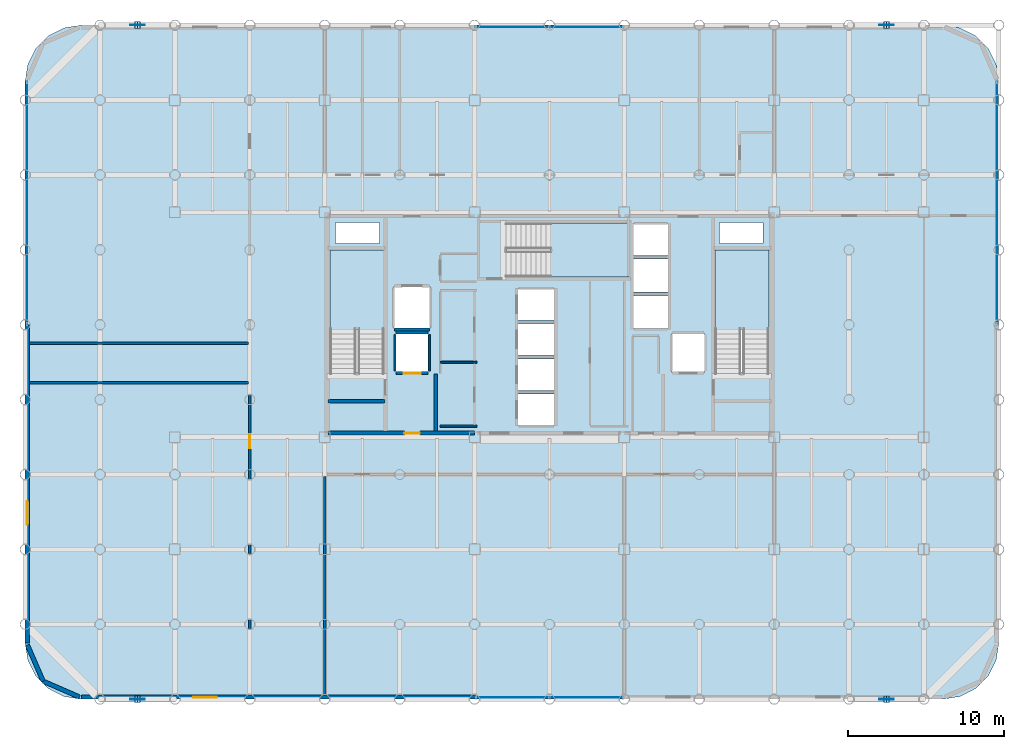
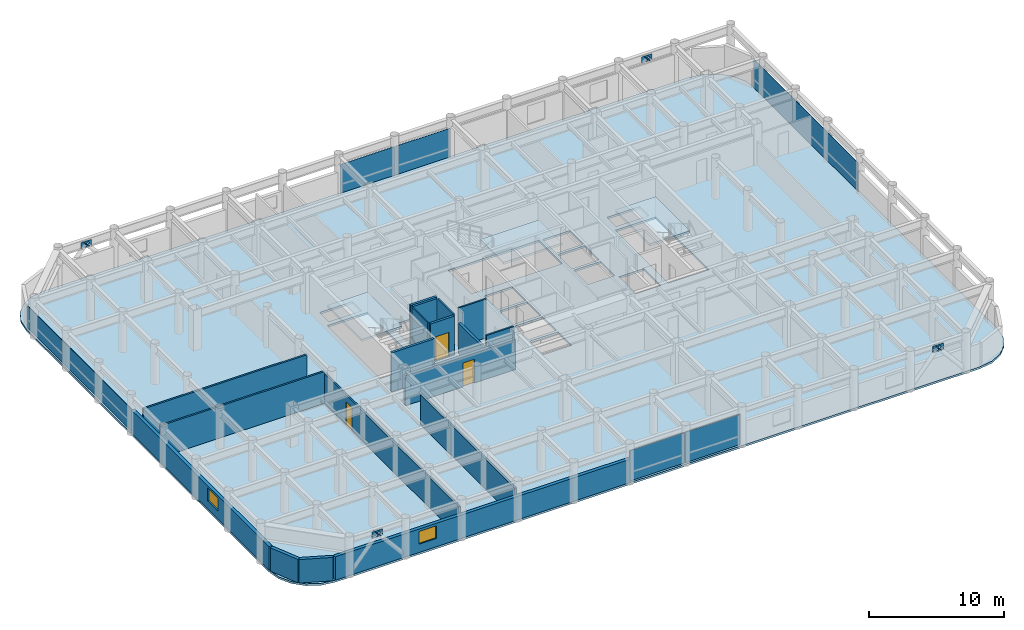
# One storey, part 15 of 19: 18 plates, 18 walls, 4 slabs, 3 doors, 2 windows, 5 openings, 7 elements without a shape of their own.
"""IFC4 building model written with IfcOpenShell, lengths in metres."""

from ifc_helpers import new_model, si_unit, direction, frame, frame_2d, origin, origin_2d, place, context, subcontext, project, spatial, polyline, rectangle, outline, extrude, material, layer, layer_set, type_object, element, fill, aggregate, save


model = new_model("IFC4")

# Units and contexts
model_context = context("Model", 3, precision=1e-05, world=origin(), true_north=direction((0.0, 1.0)))
body_context = subcontext(model_context, "Body", "Model", "MODEL_VIEW")
ifc_project = project(units=[si_unit("LENGTHUNIT", "METRE"), si_unit("AREAUNIT", "SQUARE_METRE"), si_unit("VOLUMEUNIT", "CUBIC_METRE"), si_unit("PLANEANGLEUNIT", "RADIAN"), si_unit("MASSUNIT", "GRAM", prefix="KILO")], contexts=[model_context])

# Site, building, storey
site_placement = place(None, origin())
site = spatial("IfcSite", under=ifc_project, at=site_placement, CompositionType="ELEMENT")
building_placement = place(site_placement, origin())
building = spatial("IfcBuilding", under=site, at=building_placement, Name="Kallvorn Hotel Tower", CompositionType="ELEMENT")
storey_placement = place(building_placement, frame((0.0, 0.0, 165.5)))
storey = spatial("IfcBuildingStorey", under=building, at=storey_placement, Name="L41", CompositionType="ELEMENT", Elevation=165.5)

# Curtain wall, plates
ifc_material_1 = material(Name="Thermally broken black-anodised aluminium AA 6063-T6", Category="aluminium")
ifc_layer_1 = layer(ifc_material_1, 0.2099609375)
ifc_layer_set_1 = layer_set([ifc_layer_1], Name="CW_SYS_4_HOTEL_MID")
curtain_wall_type = type_object("IfcCurtainWallType", Name="CW_SYS_4_HOTEL_MID", PredefinedType="USERDEFINED", material=ifc_layer_set_1)
curtain_wall_1_placement = place(storey_placement, origin())
curtain_wall_1 = element("IfcCurtainWall", 1, at=curtain_wall_1_placement, inside=storey, type_object=curtain_wall_type, Name="L41 Dark-Glass Curtain Wall CW-L41-SC", ObjectType="UNITISED CURTAIN WALL", PredefinedType="USERDEFINED")
ifc_material_2 = material(Name="Double-glazed low-e solar-control dark glass", Category="glass")
ifc_layer_2 = layer(ifc_material_2, 0.037841796875)
ifc_layer_set_2 = layer_set([ifc_layer_2], Name="CW_SYS_4_HOTEL_MID_PANEL")
plate_type_1 = type_object("IfcPlateType", Name="CW_SYS_4_HOTEL_MID_PANEL", PredefinedType="CURTAIN_PANEL", material=ifc_layer_set_2)
plate_1_placement = place(storey_placement, frame((-2.375, -23.8798828125, 0.06005859375), z_axis=(0.0, 0.0, 1.0), x_axis=(1.0, 0.0, 0.0)))
plate_1 = element("IfcPlate", 2, at=plate_1_placement, type_object=plate_type_1, Name="CW-L41-SC Vision Glass Panel 00", PredefinedType="CURTAIN_PANEL", context=body_context, shape_type="SweptSolid", body=[
    extrude(rectangle(XDim=4.68994140625, YDim=0.037841796875, at=origin_2d()), origin(), (0.0, 0.0, 1.0), 2.75),
])
plate_2_placement = place(storey_placement, frame((2.375, -23.8798828125, 0.06005859375), z_axis=(0.0, 0.0, 1.0), x_axis=(1.0, 0.0, 0.0)))
plate_2 = element("IfcPlate", 3, at=plate_2_placement, type_object=plate_type_1, Name="CW-L41-SC Vision Glass Panel 01", PredefinedType="CURTAIN_PANEL", context=body_context, shape_type="SweptSolid", body=[
    extrude(rectangle(XDim=4.68994140625, YDim=0.037841796875, at=origin_2d()), origin(), (0.0, 0.0, 1.0), 2.75),
])
aggregate(curtain_wall_1, [plate_1, plate_2])

curtain_wall_2_placement = place(storey_placement, origin())
curtain_wall_2 = element("IfcCurtainWall", 4, at=curtain_wall_2_placement, inside=storey, type_object=curtain_wall_type, Name="L41 Dark-Glass Curtain Wall CW-L41-NC", ObjectType="UNITISED CURTAIN WALL", PredefinedType="USERDEFINED")
plate_3_placement = place(storey_placement, frame((-2.375, 19.080078125, 0.06005859375), z_axis=(0.0, 0.0, 1.0), x_axis=(1.0, 0.0, 0.0)))
plate_3 = element("IfcPlate", 5, at=plate_3_placement, type_object=plate_type_1, Name="CW-L41-NC Vision Glass Panel 00", PredefinedType="CURTAIN_PANEL", context=body_context, shape_type="SweptSolid", body=[
    extrude(rectangle(XDim=4.68994140625, YDim=0.037841796875, at=origin_2d()), origin(), (0.0, 0.0, 1.0), 2.60009765625),
])
plate_4_placement = place(storey_placement, frame((2.375, 19.080078125, 0.06005859375), z_axis=(0.0, 0.0, 1.0), x_axis=(1.0, 0.0, 0.0)))
plate_4 = element("IfcPlate", 6, at=plate_4_placement, type_object=plate_type_1, Name="CW-L41-NC Vision Glass Panel 01", PredefinedType="CURTAIN_PANEL", context=body_context, shape_type="SweptSolid", body=[
    extrude(rectangle(XDim=4.68994140625, YDim=0.037841796875, at=origin_2d()), origin(), (0.0, 0.0, 1.0), 2.60009765625),
])
aggregate(curtain_wall_2, [plate_3, plate_4])

# Curtain wall, plate
curtain_wall_3_placement = place(storey_placement, origin())
curtain_wall_3 = element("IfcCurtainWall", 7, at=curtain_wall_3_placement, inside=storey, type_object=curtain_wall_type, Name="L41 Dark-Glass Curtain Wall CW-L41-WN", ObjectType="UNITISED CURTAIN WALL", PredefinedType="USERDEFINED")
plate_5_placement = place(storey_placement, frame((-33.47998046875, 7.81005859375, 0.06005859375), z_axis=(0.0, 0.0, 1.0), x_axis=(0.0, 1.0, 0.0)))
plate_5 = element("IfcPlate", 8, at=plate_5_placement, type_object=plate_type_1, Name="CW-L41-WN Vision Glass Panel 00", PredefinedType="CURTAIN_PANEL", context=body_context, shape_type="SweptSolid", body=[
    extrude(rectangle(XDim=15.52001953125, YDim=0.037841796875, at=origin_2d()), origin(), (0.0, 0.0, 1.0), 2.0),
])
aggregate(curtain_wall_3, [plate_5])

curtain_wall_4_placement = place(storey_placement, origin())
curtain_wall_4 = element("IfcCurtainWall", 9, at=curtain_wall_4_placement, inside=storey, type_object=curtain_wall_type, Name="L41 Dark-Glass Curtain Wall CW-L41-EN", ObjectType="UNITISED CURTAIN WALL", PredefinedType="USERDEFINED")
plate_6_placement = place(storey_placement, frame((28.679931640625, 7.81005859375, 0.06005859375), z_axis=(0.0, 0.0, 1.0), x_axis=(0.0, 1.0, 0.0)))
plate_6 = element("IfcPlate", 10, at=plate_6_placement, type_object=plate_type_1, Name="CW-L41-EN Vision Glass Panel 00", PredefinedType="CURTAIN_PANEL", context=body_context, shape_type="SweptSolid", body=[
    extrude(rectangle(XDim=15.52001953125, YDim=0.037841796875, at=origin_2d()), origin(), (0.0, 0.0, 1.0), 2.60009765625),
])
aggregate(curtain_wall_4, [plate_6])

# Plates
ifc_material_3 = material(Name="Structural steel S355JR", Category="steel")
ifc_layer_3 = layer(ifc_material_3, 0.030029296875)
ifc_layer_set_3 = layer_set([ifc_layer_3], Name="PLT_CAP_30")
plate_type_2 = type_object("IfcPlateType", Name="PLT_CAP_30", PredefinedType="SHEET", material=ifc_layer_set_3)
plate_7_placement = place(storey_placement, frame((-26.227294921875, -24.2177734375, 2.876708984375), z_axis=(0.646720691081, 0.0, 0.762726915565), x_axis=(0.0, 1.0, 0.0)))
element("IfcPlate", 11, at=plate_7_placement, inside=storey, type_object=plate_type_2, Name="EXO-L41-S1A End Cap Plate B", PredefinedType="SHEET", context=body_context, shape_type="SweptSolid", body=[
    extrude(outline(polyline([(0.0, 0.0), (0.435546875, 0.0), (0.435546875, 0.4356413597636253), (0.0, 0.4356413597636253), (0.0, 0.0)])), origin(), (0.0, 0.0, -1.0), 0.030029296875),
])
plate_8_placement = place(storey_placement, frame((-26.572509765625, -23.7822265625, 2.876708984375), z_axis=(-0.646997204148, 0.0, 0.762492372306), x_axis=(0.0, -1.0, 0.0)))
element("IfcPlate", 12, at=plate_8_placement, inside=storey, type_object=plate_type_2, Name="EXO-L41-S1B End Cap Plate B", PredefinedType="SHEET", context=body_context, shape_type="SweptSolid", body=[
    extrude(outline(polyline([(0.0, 0.0), (0.435546875, 0.0), (0.435546875, 0.43545517576240456), (0.0, 0.43545517576240456), (0.0, 0.0)])), origin(), (0.0, 0.0, -1.0), 0.030029296875),
])
plate_9_placement = place(storey_placement, frame((21.772705078125, -24.2177734375, 2.876708984375), z_axis=(0.646720691081, 0.0, 0.762726915565), x_axis=(0.0, 1.0, 0.0)))
element("IfcPlate", 13, at=plate_9_placement, inside=storey, type_object=plate_type_2, Name="EXO-L41-S2A End Cap Plate B", PredefinedType="SHEET", context=body_context, shape_type="SweptSolid", body=[
    extrude(outline(polyline([(0.0, 0.0), (0.435546875, 0.0), (0.435546875, 0.4356413597636253), (0.0, 0.4356413597636253), (0.0, 0.0)])), origin(), (0.0, 0.0, -1.0), 0.030029296875),
])
plate_10_placement = place(storey_placement, frame((21.427490234375, -23.7822265625, 2.876708984375), z_axis=(-0.646997204148, 0.0, 0.762492372306), x_axis=(0.0, -1.0, 0.0)))
element("IfcPlate", 14, at=plate_10_placement, inside=storey, type_object=plate_type_2, Name="EXO-L41-S2B End Cap Plate B", PredefinedType="SHEET", context=body_context, shape_type="SweptSolid", body=[
    extrude(outline(polyline([(0.0, 0.0), (0.435546875, 0.0), (0.435546875, 0.43545517576240456), (0.0, 0.43545517576240456), (0.0, 0.0)])), origin(), (0.0, 0.0, -1.0), 0.030029296875),
])
plate_11_placement = place(storey_placement, frame((-26.227294921875, 18.982177734375, 2.876708984375), z_axis=(0.646720691081, 0.0, 0.762726915565), x_axis=(0.0, 1.0, 0.0)))
element("IfcPlate", 15, at=plate_11_placement, inside=storey, type_object=plate_type_2, Name="EXO-L41-N1A End Cap Plate B", PredefinedType="SHEET", context=body_context, shape_type="SweptSolid", body=[
    extrude(outline(polyline([(0.0, 0.0), (0.435546875, 0.0), (0.435546875, 0.4356413597636253), (0.0, 0.4356413597636253), (0.0, 0.0)])), origin(), (0.0, 0.0, -1.0), 0.030029296875),
])
plate_12_placement = place(storey_placement, frame((-26.572509765625, 19.417724609375, 2.876708984375), z_axis=(-0.646997204148, 0.0, 0.762492372306), x_axis=(0.0, -1.0, 0.0)))
element("IfcPlate", 16, at=plate_12_placement, inside=storey, type_object=plate_type_2, Name="EXO-L41-N1B End Cap Plate B", PredefinedType="SHEET", context=body_context, shape_type="SweptSolid", body=[
    extrude(outline(polyline([(0.0, 0.0), (0.435546875, 0.0), (0.435546875, 0.43545517576240456), (0.0, 0.43545517576240456), (0.0, 0.0)])), origin(), (0.0, 0.0, -1.0), 0.030029296875),
])
plate_13_placement = place(storey_placement, frame((21.772705078125, 18.982177734375, 2.876708984375), z_axis=(0.646720691081, 0.0, 0.762726915565), x_axis=(0.0, 1.0, 0.0)))
element("IfcPlate", 17, at=plate_13_placement, inside=storey, type_object=plate_type_2, Name="EXO-L41-N2A End Cap Plate B", PredefinedType="SHEET", context=body_context, shape_type="SweptSolid", body=[
    extrude(outline(polyline([(0.0, 0.0), (0.435546875, 0.0), (0.435546875, 0.4356413597636253), (0.0, 0.4356413597636253), (0.0, 0.0)])), origin(), (0.0, 0.0, -1.0), 0.030029296875),
])
plate_14_placement = place(storey_placement, frame((21.427490234375, 19.417724609375, 2.876708984375), z_axis=(-0.646997204148, 0.0, 0.762492372306), x_axis=(0.0, -1.0, 0.0)))
element("IfcPlate", 18, at=plate_14_placement, inside=storey, type_object=plate_type_2, Name="EXO-L41-N2B End Cap Plate B", PredefinedType="SHEET", context=body_context, shape_type="SweptSolid", body=[
    extrude(outline(polyline([(0.0, 0.0), (0.435546875, 0.0), (0.435546875, 0.43545517576240456), (0.0, 0.43545517576240456), (0.0, 0.0)])), origin(), (0.0, 0.0, -1.0), 0.030029296875),
])
ifc_material_4 = material(Name="Structural steel S355JR", Category="steel")
ifc_layer_4 = layer(ifc_material_4, 0.034912109375)
ifc_layer_set_4 = layer_set([ifc_layer_4], Name="PLT_GUSSET_35")
plate_type_3 = type_object("IfcPlateType", Name="PLT_GUSSET_35", PredefinedType="USERDEFINED", material=ifc_layer_set_4)
for number, where, z_axis, x_axis, name in (
    (19, (-26.39990234375, -24.0, 2.68994140625), (0.0, 0.0, 1.0), (1.0, 0.0, 0.0), "L41 Exoskeleton Node Gusset S1"),
    (20, (21.60009765625, -24.0, 2.68994140625), (0.0, 0.0, 1.0), (1.0, 0.0, 0.0), "L41 Exoskeleton Node Gusset S2"),
    (21, (-26.39990234375, 19.199951171875, 2.68994140625), (0.0, 0.0, 1.0), (1.0, 0.0, 0.0), "L41 Exoskeleton Node Gusset N1"),
    (22, (21.60009765625, 19.199951171875, 2.68994140625), (0.0, 0.0, 1.0), (1.0, 0.0, 0.0), "L41 Exoskeleton Node Gusset N2"),
):
    element("IfcPlate", number, at=place(storey_placement, frame(where, z_axis=z_axis, x_axis=x_axis)), inside=storey, type_object=plate_type_3, Name=name, ObjectType="GUSSET PLATE", PredefinedType="USERDEFINED", context=body_context, shape_type="SweptSolid", body=[
        extrude(rectangle(XDim=0.89990234375, YDim=0.034912109375, at=origin_2d()), origin(), (0.0, 0.0, 1.0), 0.56005859375),
    ])

# Stair, slab
ifc_material_5 = material(Name="Precast concrete C40/50", Category="concrete")
stair_type = type_object("IfcStairType", Name="STR_CORE_DOGLEG", PredefinedType="HALF_TURN_STAIR", material=ifc_material_5)
stair_1_placement = place(storey_placement, origin())
stair_1 = element("IfcStair", 23, at=stair_1_placement, inside=storey, type_object=stair_type, Name="L41 Exit stair ST1", PredefinedType="HALF_TURN_STAIR")
ifc_material_6 = material(Name="Precast concrete C40/50", Category="concrete")
ifc_layer_5 = layer(ifc_material_6, 0.179931640625)
ifc_layer_set_5 = layer_set([ifc_layer_5], Name="SLB_LANDING_180")
slab_type_1 = type_object("IfcSlabType", Name="SLB_LANDING_180", PredefinedType="LANDING", material=ifc_layer_set_5)
slab_1_placement = place(storey_placement, frame((0.0, 0.0, 1.64990234375)))
slab_1 = element("IfcSlab", 24, at=slab_1_placement, type_object=slab_type_1, Name="ST1 landing 1", PredefinedType="LANDING", context=body_context, shape_type="SweptSolid", body=[
    extrude(outline(polyline([(-10.60009765625, -0.31005859375), (-10.60009765625, 4.800048828125), (-14.06005859375, 4.800048828125), (-14.06005859375, -0.31005859375), (-10.60009765625, -0.31005859375)])), origin(), (0.0, 0.0, 1.0), 0.2001953125),
])
aggregate(stair_1, [slab_1])

stair_2_placement = place(storey_placement, origin())
stair_2 = element("IfcStair", 25, at=stair_2_placement, inside=storey, type_object=stair_type, Name="L41 Exit stair ST2", PredefinedType="HALF_TURN_STAIR")
slab_2_placement = place(storey_placement, frame((0.0, 0.0, 1.64990234375)))
slab_2 = element("IfcSlab", 26, at=slab_2_placement, type_object=slab_type_1, Name="ST2 landing 1", PredefinedType="LANDING", context=body_context, shape_type="SweptSolid", body=[
    extrude(outline(polyline([(14.06005859375, -0.31005859375), (14.06005859375, 4.800048828125), (10.60009765625, 4.800048828125), (10.60009765625, -0.31005859375), (14.06005859375, -0.31005859375)])), origin(), (0.0, 0.0, 1.0), 0.2001953125),
])
aggregate(stair_2, [slab_2])

stair_3_placement = place(storey_placement, origin())
stair_3 = element("IfcStair", 27, at=stair_3_placement, inside=storey, type_object=stair_type, Name="L41 Exit stair ST3", PredefinedType="HALF_TURN_STAIR")
slab_3_placement = place(storey_placement, frame((0.0, 0.0, 1.64990234375)))
slab_3 = element("IfcSlab", 28, at=slab_3_placement, type_object=slab_type_1, Name="ST3 landing 1", PredefinedType="LANDING", context=body_context, shape_type="SweptSolid", body=[
    extrude(outline(polyline([(0.0400390625, 3.050048828125), (5.050048828125, 3.050048828125), (5.050048828125, 6.510009765625), (0.0400390625, 6.510009765625), (0.0400390625, 3.050048828125)])), origin(), (0.0, 0.0, 1.0), 0.2001953125),
])
aggregate(stair_3, [slab_3])

# Slab
ifc_material_7 = material(Name="Concrete C40/50", Category="concrete")
ifc_layer_6 = layer(ifc_material_7, 0.179931640625)
ifc_layer_set_6 = layer_set([ifc_layer_6], Name="SLB_TOWER_180")
slab_type_2 = type_object("IfcSlabType", Name="SLB_TOWER_180", PredefinedType="FLOOR", material=ifc_layer_set_6)
slab_4_placement = place(storey_placement, frame((0.0, 0.0, -0.179931640625)))
element("IfcSlab", 29, at=slab_4_placement, inside=storey, type_object=slab_type_2, Name="L41 Structural Floor Slab", PredefinedType="FLOOR", context=body_context, shape_type="SweptSolid", body=[
    extrude(outline(polyline([(25.199951171875, -24.0), (26.3125, -23.82373046875), (27.31591796875, -23.3125), (28.112548828125, -22.51611328125), (28.623779296875, -21.512451171875), (28.800048828125, -20.39990234375), (28.800048828125, 15.60009765625), (28.623779296875, 16.71240234375), (28.112548828125, 17.716064453125), (27.31591796875, 18.512451171875), (26.3125, 19.023681640625), (25.199951171875, 19.199951171875), (-30.0, 19.199951171875), (-31.112548828125, 19.023681640625), (-32.115966796875, 18.512451171875), (-32.91259765625, 17.716064453125), (-33.423828125, 16.71240234375), (-33.60009765625, 15.60009765625), (-33.60009765625, -20.39990234375), (-33.423828125, -21.512451171875), (-32.91259765625, -22.51611328125), (-32.115966796875, -23.3125), (-31.112548828125, -23.82373046875), (-30.0, -24.0), (25.199951171875, -24.0)]), holes=[polyline([(-10.60009765625, -3.070068359375), (-10.60009765625, 4.800048828125), (-14.06005859375, 4.800048828125), (-14.06005859375, -3.070068359375), (-10.60009765625, -3.070068359375)]), polyline([(14.06005859375, -3.070068359375), (14.06005859375, 4.800048828125), (10.60009765625, 4.800048828125), (10.60009765625, -3.070068359375), (14.06005859375, -3.070068359375)]), polyline([(-2.719970703125, 3.050048828125), (5.050048828125, 3.050048828125), (5.050048828125, 6.510009765625), (-2.719970703125, 6.510009765625), (-2.719970703125, 3.050048828125)]), polyline([(-2.050048828125, -6.449951171875), (0.35009765625, -6.449951171875), (0.35009765625, -4.449951171875), (-2.050048828125, -4.449951171875), (-2.050048828125, -6.449951171875)]), polyline([(-2.050048828125, -4.199951171875), (0.35009765625, -4.199951171875), (0.35009765625, -2.199951171875), (-2.050048828125, -2.199951171875), (-2.050048828125, -4.199951171875)]), polyline([(-2.050048828125, -1.949951171875), (0.35009765625, -1.949951171875), (0.35009765625, 0.050048828125), (-2.050048828125, 0.050048828125), (-2.050048828125, -1.949951171875)]), polyline([(-2.050048828125, 0.300048828125), (0.35009765625, 0.300048828125), (0.35009765625, 2.300048828125), (-2.050048828125, 2.300048828125), (-2.050048828125, 0.300048828125)]), polyline([(5.35009765625, -0.25), (7.64990234375, -0.25), (7.64990234375, 1.85009765625), (5.35009765625, 1.85009765625), (5.35009765625, -0.25)]), polyline([(5.35009765625, 2.10009765625), (7.64990234375, 2.10009765625), (7.64990234375, 4.199951171875), (5.35009765625, 4.199951171875), (5.35009765625, 2.10009765625)]), polyline([(5.35009765625, 4.449951171875), (7.64990234375, 4.449951171875), (7.64990234375, 6.449951171875), (5.35009765625, 6.449951171875), (5.35009765625, 4.449951171875)]), polyline([(-9.85009765625, -3.050048828125), (-7.75, -3.050048828125), (-7.75, -0.550048828125), (-9.85009765625, -0.550048828125), (-9.85009765625, -3.050048828125)]), polyline([(7.85009765625, -3.050048828125), (9.949951171875, -3.050048828125), (9.949951171875, -0.550048828125), (7.85009765625, -0.550048828125), (7.85009765625, -3.050048828125)]), polyline([(-9.949951171875, -0.25), (-7.64990234375, -0.25), (-7.64990234375, 2.449951171875), (-9.949951171875, 2.449951171875), (-9.949951171875, -0.25)]), polyline([(-13.699951171875, 5.199951171875), (-10.89990234375, 5.199951171875), (-10.89990234375, 6.550048828125), (-13.699951171875, 6.550048828125), (-13.699951171875, 5.199951171875)]), polyline([(10.89990234375, 5.199951171875), (13.699951171875, 5.199951171875), (13.699951171875, 6.550048828125), (10.89990234375, 6.550048828125), (10.89990234375, 5.199951171875)])]), origin(), (0.0, 0.0, 1.0), 0.179931640625),
])

# Walls
ifc_material_8 = material(Name="Precast basalt-clad insulated concrete wall C40/50", Category="masonry")
ifc_layer_7 = layer(ifc_material_8, 0.280029296875)
ifc_layer_set_7 = layer_set([ifc_layer_7], Name="WL_EXT_LOGGIA_280")
wall_type_1 = type_object("IfcWallType", Name="WL_EXT_LOGGIA_280", PredefinedType="SOLIDWALL", material=ifc_layer_set_7)
wall_1_placement = place(storey_placement, frame((-33.4580078125, -20.520751953125, 0.0), z_axis=(0.0, 0.0, 1.0), x_axis=(0.398792985289, -0.917040977756, 0.0)))
element("IfcWall", 30, at=wall_1_placement, inside=storey, type_object=wall_type_1, Name="L41 Rounded Corner Exterior Wall SW1", PredefinedType="SOLIDWALL", context=body_context, shape_type="SweptSolid", body=[
    extrude(rectangle(XDim=2.536376953125, YDim=0.280029296875, at=frame_2d((1.26806640625, 0.0))), origin(), (0.0, 0.0, 1.0), 2.1201171875),
])
wall_2_placement = place(storey_placement, frame((-32.446533203125, -22.8466796875, 0.0), z_axis=(0.0, 0.0, 1.0), x_axis=(0.917060872934, -0.398747232384, 0.0)))
element("IfcWall", 31, at=wall_2_placement, inside=storey, type_object=wall_type_1, Name="L41 Rounded Corner Exterior Wall SW2", PredefinedType="SOLIDWALL", context=body_context, shape_type="SweptSolid", body=[
    extrude(rectangle(XDim=2.5361328125, YDim=0.280029296875, at=frame_2d((1.26806640625, 0.0))), origin(), (0.0, 0.0, 1.0), 2.1201171875),
])

# Wall, opening, window
wall_3_placement = place(storey_placement, frame((-30.0, -23.860107421875, 0.0), z_axis=(0.0, 0.0, 1.0), x_axis=(1.0, 0.0, 0.0)))
wall_3 = element("IfcWall", 32, at=wall_3_placement, inside=storey, type_object=wall_type_1, Name="L41 Exterior Envelope Wall EW-L41-SW", PredefinedType="SOLIDWALL", context=body_context, shape_type="SweptSolid", body=[
    extrude(rectangle(XDim=25.25, YDim=0.280029296875, at=frame_2d((12.625, 0.0))), origin(), (0.0, 0.0, 1.0), 2.1201171875),
])
opening_1_placement = place(wall_3_placement, frame((7.1630859375, 0.0, 0.75)))
opening_1 = element("IfcOpeningElement", 33, at=opening_1_placement, cuts=wall_3, Name="Opening W05A", PredefinedType="OPENING", context=body_context, shape_type="SweptSolid", body=[
    extrude(rectangle(XDim=1.5, YDim=1.14990234375, at=frame_2d((0.75, 0.574951171875))), frame((0.0, 0.155029296875, 0.0), z_axis=(0.0, -1.0, 0.0), x_axis=(1.0, 0.0, 0.0)), (0.0, 0.0, 1.0), 0.31005859375),
])
ifc_material_9 = material(Name="Double-glazed low-e solar-control dark glass", Category="glass")
window_type = type_object("IfcWindowType", Name="WN_HTL_1500x1150", PartitioningType="SINGLE_PANEL", PredefinedType="WINDOW", material=ifc_material_9)
window_1_placement = place(opening_1_placement, origin())
window_1 = element("IfcWindow", 34, at=window_1_placement, inside=storey, type_object=window_type, Name="L41 Guestroom Exterior Window 01", OverallHeight=1.14990234375, OverallWidth=1.5, PartitioningType="SINGLE_PANEL", PredefinedType="WINDOW", context=body_context, shape_type="SweptSolid", body=[
    extrude(rectangle(XDim=1.5, YDim=1.14990234375, at=frame_2d((0.75, 0.574951171875))), frame((0.0, 0.030029296875, 0.0), z_axis=(0.0, -1.0, 0.0), x_axis=(1.0, 0.0, 0.0)), (0.0, 0.0, 1.0), 0.06005859375),
])
fill(opening_1, window_1)

wall_4_placement = place(storey_placement, frame((-33.4599609375, -20.39990234375, 0.0), z_axis=(0.0, 0.0, 1.0), x_axis=(0.0, 1.0, 0.0)))
wall_4 = element("IfcWall", 35, at=wall_4_placement, inside=storey, type_object=wall_type_1, Name="L41 Exterior Envelope Wall EW-L41-WS", PredefinedType="SOLIDWALL", context=body_context, shape_type="SweptSolid", body=[
    extrude(rectangle(XDim=20.3798828125, YDim=0.280029296875, at=frame_2d((10.18994140625, 0.0))), origin(), (0.0, 0.0, 1.0), 2.1201171875),
])
opening_2_placement = place(wall_4_placement, frame((7.590087890625, 0.0, 0.75)))
opening_2 = element("IfcOpeningElement", 36, at=opening_2_placement, cuts=wall_4, Name="Opening W05A", PredefinedType="OPENING", context=body_context, shape_type="SweptSolid", body=[
    extrude(rectangle(XDim=1.5, YDim=1.14990234375, at=frame_2d((0.75, 0.574951171875))), frame((0.0, 0.155029296875, 0.0), z_axis=(0.0, -1.0, 0.0), x_axis=(1.0, 0.0, 0.0)), (0.0, 0.0, 1.0), 0.31005859375),
])
window_2_placement = place(opening_2_placement, origin())
window_2 = element("IfcWindow", 37, at=window_2_placement, inside=storey, type_object=window_type, Name="L41 Flank Wing Window 02", OverallHeight=1.14990234375, OverallWidth=1.5, PartitioningType="SINGLE_PANEL", PredefinedType="WINDOW", context=body_context, shape_type="SweptSolid", body=[
    extrude(rectangle(XDim=1.5, YDim=1.14990234375, at=frame_2d((0.75, 0.574951171875))), frame((0.0, 0.030029296875, 0.0), z_axis=(0.0, -1.0, 0.0), x_axis=(1.0, 0.0, 0.0)), (0.0, 0.0, 1.0), 0.06005859375),
])
fill(opening_2, window_2)

# Walls
ifc_material_10 = material(Name="Concrete C40/50", Category="concrete")
ifc_layer_8 = layer(ifc_material_10, 0.219970703125)
ifc_layer_set_8 = layer_set([ifc_layer_8], Name="WL_FFL_220")
wall_type_2 = type_object("IfcWallType", Name="WL_FFL_220", PredefinedType="SOLIDWALL", material=ifc_layer_set_8)
wall_5_placement = place(storey_placement, frame((-7.300048828125, -6.820068359375, 0.0), z_axis=(0.0, 0.0, 1.0), x_axis=(0.0, 1.0, 0.0)))
element("IfcWall", 38, at=wall_5_placement, inside=storey, type_object=wall_type_2, Name="L41 Firefighting Lobby West Divider Wall", PredefinedType="SOLIDWALL", context=body_context, shape_type="SweptSolid", body=[
    extrude(rectangle(XDim=3.670166015625, YDim=0.219970703125, at=frame_2d((1.8349609375, 0.0))), origin(), (0.0, 0.0, 1.0), 2.719970703125),
])
ifc_material_11 = material(Name="Concrete C40/50", Category="concrete")
ifc_layer_9 = layer(ifc_material_11, 0.199951171875)
ifc_layer_set_9 = layer_set([ifc_layer_9], Name="WL_HOIST_200")
wall_type_3 = type_object("IfcWallType", Name="WL_HOIST_200", PredefinedType="SOLIDWALL", material=ifc_layer_set_9)
wall_6_placement = place(storey_placement, frame((-14.199951171875, -4.89990234375, -0.179931640625), z_axis=(0.0, 0.0, 1.0), x_axis=(1.0, 0.0, 0.0)))
element("IfcWall", 39, at=wall_6_placement, inside=storey, type_object=wall_type_3, Name="L41 Stair ST1 South Wall", PredefinedType="SOLIDWALL", context=body_context, shape_type="SweptSolid", body=[
    extrude(rectangle(XDim=3.64990234375, YDim=0.199951171875, at=frame_2d((1.824951171875, 0.0))), origin(), (0.0, 0.0, 1.0), 3.699951171875),
])

# Wall, opening, door
wall_7_placement = place(storey_placement, frame((-9.820068359375, -3.10009765625, 0.0), z_axis=(0.0, 0.0, 1.0), x_axis=(1.0, 0.0, 0.0)))
wall_7 = element("IfcWall", 40, at=wall_7_placement, inside=storey, type_object=wall_type_3, Name="L41 FL-1 Landing Wall", PredefinedType="SOLIDWALL", context=body_context, shape_type="SweptSolid", body=[
    extrude(rectangle(XDim=2.0400390625, YDim=0.199951171875, at=frame_2d((1.02001953125, 0.0))), origin(), (0.0, 0.0, 1.0), 3.52001953125),
])
opening_3_placement = place(wall_7_placement, frame((0.469970703125, 0.0, 0.0)))
opening_3 = element("IfcOpeningElement", 41, at=opening_3_placement, cuts=wall_7, Name="Opening LD-FL-1", PredefinedType="OPENING", context=body_context, shape_type="SweptSolid", body=[
    extrude(rectangle(XDim=1.10009765625, YDim=2.199951171875, at=frame_2d((0.550048828125, 1.10009765625))), frame((0.0, 0.114990234375, 0.0), z_axis=(0.0, -1.0, 0.0), x_axis=(1.0, 0.0, 0.0)), (0.0, 0.0, 1.0), 0.22998046875),
])
ifc_material_12 = material(Name="Brushed stainless-steel automatic sliding lift landing door", Category="steel")
door_type_1 = type_object("IfcDoorType", Name="LD_PASS_1100x2200", OperationType="SLIDING_TO_LEFT", PredefinedType="DOOR", material=ifc_material_12)
door_1_placement = place(opening_3_placement, origin())
door_1 = element("IfcDoor", 42, at=door_1_placement, inside=storey, type_object=door_type_1, Name="L41 Lift Landing Sliding Door LD-FL-1", OperationType="SLIDING_TO_LEFT", OverallHeight=2.199951171875, OverallWidth=1.10009765625, PredefinedType="DOOR", context=body_context, shape_type="SweptSolid", body=[
    extrude(rectangle(XDim=1.10009765625, YDim=2.199951171875, at=frame_2d((0.550048828125, 1.10009765625))), frame((0.0, 0.02490234375, 0.0), z_axis=(0.0, -1.0, 0.0), x_axis=(1.0, 0.0, 0.0)), (0.0, 0.0, 1.0), 0.050048828125),
])
fill(opening_3, door_1)

# Walls
wall_8_placement = place(storey_placement, frame((-9.820068359375, -0.5, 0.0), z_axis=(0.0, 0.0, 1.0), x_axis=(1.0, 0.0, 0.0)))
element("IfcWall", 43, at=wall_8_placement, inside=storey, type_object=wall_type_3, Name="L41 FL-1 Rear Shaft Wall", PredefinedType="SOLIDWALL", context=body_context, shape_type="SweptSolid", body=[
    extrude(rectangle(XDim=2.0400390625, YDim=0.199951171875, at=frame_2d((1.02001953125, 0.0))), origin(), (0.0, 0.0, 1.0), 3.52001953125),
])
wall_9_placement = place(storey_placement, frame((-9.919921875, -0.300048828125, 0.0), z_axis=(0.0, 0.0, 1.0), x_axis=(1.0, 0.0, 0.0)))
element("IfcWall", 44, at=wall_9_placement, inside=storey, type_object=wall_type_3, Name="L41 SV-01 Rear Shaft Wall", PredefinedType="SOLIDWALL", context=body_context, shape_type="SweptSolid", body=[
    extrude(rectangle(XDim=2.239990234375, YDim=0.199951171875, at=frame_2d((1.1201171875, 0.0))), origin(), (0.0, 0.0, 1.0), 3.52001953125),
])
ifc_material_13 = material(Name="Fire-rated double-layer acoustic gypsum drywall EI 60")
ifc_layer_10 = layer(ifc_material_13, 0.1201171875)
ifc_layer_set_10 = layer_set([ifc_layer_10], Name="WL_INT_120")
wall_type_4 = type_object("IfcWallType", Name="WL_INT_120", PredefinedType="PARTITIONING", material=ifc_layer_set_10)
for number, where, z_axis, x_axis, name in (
    (45, (-9.89990234375, -2.9599609375, 0.0), (0.0, 0.0, 1.0), (0.0, 1.0, 0.0), "L41 FL-1 West Shaft Wall"),
    (46, (-7.699951171875, -2.9599609375, 0.0), (0.0, 0.0, 1.0), (0.0, 1.0, 0.0), "L41 FL-1 East Shaft Wall"),
):
    element("IfcWall", number, at=place(storey_placement, frame(where, z_axis=z_axis, x_axis=x_axis)), inside=storey, type_object=wall_type_4, Name=name, PredefinedType="PARTITIONING", context=body_context, shape_type="SweptSolid", body=[
        extrude(rectangle(XDim=2.320068359375, YDim=0.1201171875, at=frame_2d((1.16015625, 0.0))), origin(), (0.0, 0.0, 1.0), 3.52001953125),
    ])
for number, where, z_axis, x_axis, name in (
    (47, (-7.0, -6.5, 0.0), (0.0, 0.0, 1.0), (1.0, 0.0, 0.0), "L41 Recaptured South Minibar Pantry Partition"),
    (48, (-7.0, -2.39990234375, 0.0), (0.0, 0.0, 1.0), (1.0, 0.0, 0.0), "L41 Recaptured Central Linen Store Partition"),
):
    element("IfcWall", number, at=place(storey_placement, frame(where, z_axis=z_axis, x_axis=x_axis)), inside=storey, type_object=wall_type_4, Name=name, PredefinedType="PARTITIONING", context=body_context, shape_type="SweptSolid", body=[
        extrude(rectangle(XDim=2.35009765625, YDim=0.1201171875, at=frame_2d((1.175048828125, 0.0))), origin(), (0.0, 0.0, 1.0), 3.52001953125),
    ])
ifc_material_14 = material(Name="Fire-rated double-layer acoustic gypsum drywall EI 60")
ifc_layer_11 = layer(ifc_material_14, 0.14990234375)
ifc_layer_set_11 = layer_set([ifc_layer_11], Name="WL_PART_150")
wall_type_5 = type_object("IfcWallType", Name="WL_PART_150", PredefinedType="PARTITIONING", material=ifc_layer_set_11)
for number, where, z_axis, x_axis, name in (
    (49, (-33.31005859375, -3.719970703125, 0.0), (0.0, 0.0, 1.0), (1.0, 0.0, 0.0), "L41 L41 South-West Botanical Dining Salon Partition"),
    (50, (-33.31005859375, -1.179931640625, 0.0), (0.0, 0.0, 1.0), (1.0, 0.0, 0.0), "L41 L41 North-West Cordillera Fitness Gymnasium Partition"),
):
    element("IfcWall", number, at=place(storey_placement, frame(where, z_axis=z_axis, x_axis=x_axis)), inside=storey, type_object=wall_type_5, Name=name, PredefinedType="PARTITIONING", context=body_context, shape_type="SweptSolid", body=[
        extrude(rectangle(XDim=14.030029296875, YDim=0.14990234375, at=frame_2d((7.01513671875, 0.0))), origin(), (0.0, 0.0, 1.0), 2.8701171875),
    ])

# Wall, opening, door
wall_10_placement = place(storey_placement, frame((-19.199951171875, -23.7099609375, 0.0), z_axis=(0.0, 0.0, 1.0), x_axis=(0.0, 1.0, 0.0)))
wall_10 = element("IfcWall", 51, at=wall_10_placement, inside=storey, type_object=wall_type_5, Name="L41 L41 South-West Botanical Dining Salon Partition", PredefinedType="PARTITIONING", context=body_context, shape_type="SweptSolid", body=[
    extrude(rectangle(XDim=19.905029296875, YDim=0.14990234375, at=frame_2d((9.95263671875, 0.0))), origin(), (0.0, 0.0, 1.0), 2.719970703125),
])
opening_4_placement = place(wall_10_placement, frame((15.790771484375, 0.0, 0.0)))
opening_4 = element("IfcOpeningElement", 52, at=opening_4_placement, cuts=wall_10, Name="Opening SVD1", PredefinedType="OPENING", context=body_context, shape_type="SweptSolid", body=[
    extrude(rectangle(XDim=0.89990234375, YDim=2.10009765625, at=frame_2d((0.449951171875, 1.050048828125))), frame((0.0, 0.08984375, 0.0), z_axis=(0.0, -1.0, 0.0), x_axis=(1.0, 0.0, 0.0)), (0.0, 0.0, 1.0), 0.179931640625),
])
ifc_material_15 = material(Name="Galvanised painted steel fire-rated door assembly", Category="steel")
door_type_2 = type_object("IfcDoorType", Name="DR_SERV_900x2100", OperationType="NOTDEFINED", PredefinedType="DOOR", material=ifc_material_15)
door_2_placement = place(opening_4_placement, origin())
door_2 = element("IfcDoor", 53, at=door_2_placement, inside=storey, type_object=door_type_2, Name="L41 L41 South-West Botanical Dining Salon Door", OperationType="SINGLE_SWING_RIGHT", OverallHeight=2.10009765625, OverallWidth=0.89990234375, PredefinedType="DOOR", context=body_context, shape_type="SweptSolid", body=[
    extrude(rectangle(XDim=0.89990234375, YDim=2.10009765625, at=frame_2d((0.449951171875, 1.050048828125))), frame((0.0, 0.02490234375, 0.0), z_axis=(0.0, -1.0, 0.0), x_axis=(1.0, 0.0, 0.0)), (0.0, 0.0, 1.0), 0.050048828125),
])
fill(opening_4, door_2)

# Wall
wall_11_placement = place(storey_placement, frame((-14.39990234375, -23.7099609375, 0.0), z_axis=(0.0, 0.0, 1.0), x_axis=(0.0, 1.0, 0.0)))
element("IfcWall", 54, at=wall_11_placement, inside=storey, type_object=wall_type_5, Name="L41 L41 Diplomatic Summit Conference Boardroom 1 Partition", PredefinedType="PARTITIONING", context=body_context, shape_type="SweptSolid", body=[
    extrude(rectangle(XDim=13.989990234375, YDim=0.14990234375, at=frame_2d((6.9951171875, 0.0))), origin(), (0.0, 0.0, 1.0), 2.719970703125),
])

# Wall, opening, door
ifc_material_16 = material(Name="Concrete C40/50", Category="concrete")
ifc_layer_12 = layer(ifc_material_16, 0.25)
ifc_layer_set_12 = layer_set([ifc_layer_12], Name="WL_SHAFT_250")
wall_type_6 = type_object("IfcWallType", Name="WL_SHAFT_250", PredefinedType="SOLIDWALL", material=ifc_layer_set_12)
wall_12_placement = place(storey_placement, frame((-14.199951171875, -6.949951171875, 0.0), z_axis=(0.0, 0.0, 1.0), x_axis=(1.0, 0.0, 0.0)))
wall_12 = element("IfcWall", 55, at=wall_12_placement, inside=storey, type_object=wall_type_6, Name="L41 Core South-West Wall", PredefinedType="SOLIDWALL", context=body_context, shape_type="SweptSolid", body=[
    extrude(rectangle(XDim=9.39990234375, YDim=0.25, at=frame_2d((4.699951171875, 0.0))), origin(), (0.0, 0.0, 1.0), 2.719970703125),
])
opening_5_placement = place(wall_12_placement, frame((4.89990234375, 0.0, 0.0)))
opening_5 = element("IfcOpeningElement", 56, at=opening_5_placement, cuts=wall_12, Name="Opening FD1", PredefinedType="OPENING", context=body_context, shape_type="SweptSolid", body=[
    extrude(rectangle(XDim=1.0, YDim=2.14990234375, at=frame_2d((0.5, 1.074951171875))), frame((0.0, 0.139892578125, 0.0), z_axis=(0.0, -1.0, 0.0), x_axis=(1.0, 0.0, 0.0)), (0.0, 0.0, 1.0), 0.280029296875),
])
ifc_material_17 = material(Name="Galvanised painted steel fire-rated door assembly", Category="steel")
door_type_3 = type_object("IfcDoorType", Name="DR_FFL_1000x2150", OperationType="NOTDEFINED", PredefinedType="DOOR", material=ifc_material_17)
door_3_placement = place(opening_5_placement, origin())
door_3 = element("IfcDoor", 57, at=door_3_placement, inside=storey, type_object=door_type_3, Name="L41 Firefighting Lobby West Door", OperationType="SINGLE_SWING_RIGHT", OverallHeight=2.14990234375, OverallWidth=1.0, PredefinedType="DOOR", context=body_context, shape_type="SweptSolid", body=[
    extrude(rectangle(XDim=1.0, YDim=2.14990234375, at=frame_2d((0.5, 1.074951171875))), frame((0.0, 0.02490234375, 0.0), z_axis=(0.0, -1.0, 0.0), x_axis=(1.0, 0.0, 0.0)), (0.0, 0.0, 1.0), 0.050048828125),
])
fill(opening_5, door_3)

save(model, "model.ifc")
